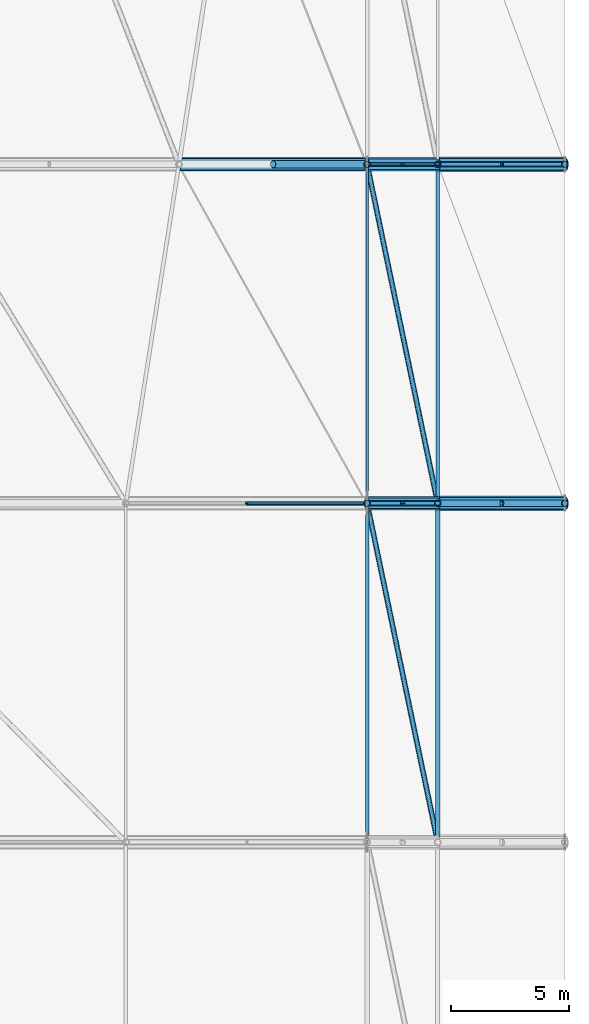
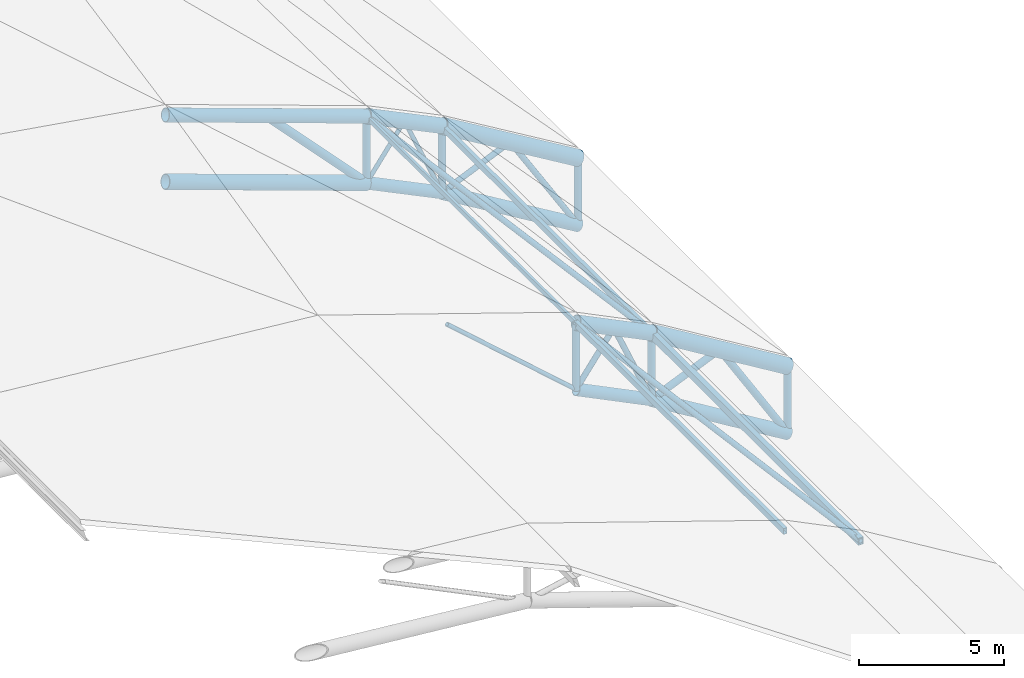
# One storey, part 22 of 36: 32 members.
"""IFC4 building model written with IfcOpenShell, lengths in metres."""

from ifc_helpers import new_model, si_unit, direction, frame, origin, origin_2d, place, context, subcontext, project, spatial, hollow_rectangle, hollow_circle, extrude, material, material_profile, profile_set, type_object, element, save


model = new_model("IFC4")

# Units and contexts
model_context = context("Model", 3, precision=1e-05, world=origin(), true_north=direction((0.0, 1.0)))
body_context = subcontext(model_context, "Body", "Model", "MODEL_VIEW")
ifc_project = project(units=[si_unit("LENGTHUNIT", "METRE"), si_unit("AREAUNIT", "SQUARE_METRE"), si_unit("VOLUMEUNIT", "CUBIC_METRE"), si_unit("PLANEANGLEUNIT", "RADIAN"), si_unit("MASSUNIT", "GRAM", prefix="KILO")], contexts=[model_context])

# Site, building, storey
site_placement = place(None, origin())
site = spatial("IfcSite", under=ifc_project, at=site_placement, CompositionType="ELEMENT")
building_placement = place(site_placement, origin())
building = spatial("IfcBuilding", under=site, at=building_placement, Name="Koshinbarg Plaza Stadium", CompositionType="ELEMENT")
storey_placement = place(building_placement, frame((0.0, 0.0, 34.199951171875)))
storey = spatial("IfcBuildingStorey", under=building, at=storey_placement, Name="RF", CompositionType="ELEMENT", Elevation=34.199951171875)

# Members
ifc_material = material(Name="Steel S355", Category="steel")
ifc_material_profile_1 = material_profile(ifc_material, hollow_circle(Radius=0.279541015625, WallThickness=0.022216796875, at=origin_2d()), Name="CHS 559x22.2")
ifc_profile_set_1 = profile_set([ifc_material_profile_1], Name="Steel S355")
member_type_1 = type_object("IfcMemberType", Name="MB-ARCH-BOT", PredefinedType="CHORD", material=ifc_profile_set_1)
member_1_placement = place(storey_placement, frame((189.39990234375, 111.89990234375, -0.10302734375), z_axis=(-0.942098779922, 0.0, 0.335335487041), x_axis=(0.0, -1.0, 0.0)))
element("IfcMember", 1, at=member_1_placement, inside=storey, type_object=member_type_1, Name="Quarter-barrel roof truss bottom chord ERB-07-3", PredefinedType="CHORD", context=body_context, shape_type="SweptSolid", body=[
    extrude(hollow_circle(Radius=0.279541015625, WallThickness=0.022216796875, at=origin_2d()), origin(), (0.0, 0.0, 1.0), 8.484619140625),
])
ifc_material_profile_2 = material_profile(ifc_material, hollow_circle(Radius=0.25390625, WallThickness=0.02001953125, at=origin_2d()), Name="CHS 508x20")
ifc_profile_set_2 = profile_set([ifc_material_profile_2], Name="Steel S355")
member_type_2 = type_object("IfcMemberType", Name="MB-ARCH-TOP", PredefinedType="CHORD", material=ifc_profile_set_2)
member_2_placement = place(storey_placement, frame((189.39990234375, 111.89990234375, 2.697021484375), z_axis=(-0.942098779922, 0.0, 0.335335487041), x_axis=(0.0, -1.0, 0.0)))
element("IfcMember", 2, at=member_2_placement, inside=storey, type_object=member_type_2, Name="Quarter-barrel roof truss top chord ERB-07-3", PredefinedType="CHORD", context=body_context, shape_type="SweptSolid", body=[
    extrude(hollow_circle(Radius=0.25390625, WallThickness=0.02001953125, at=origin_2d()), origin(), (0.0, 0.0, 1.0), 8.484619140625),
])
ifc_material_profile_3 = material_profile(ifc_material, hollow_circle(Radius=0.161865234375, WallThickness=0.01416015625, at=origin_2d()), Name="CHS 323.9x14.2")
ifc_profile_set_3 = profile_set([ifc_material_profile_3], Name="Steel S355")
member_type_3 = type_object("IfcMemberType", Name="MB-BRACE-01", PredefinedType="BRACE", material=ifc_profile_set_3)
member_3_placement = place(storey_placement, frame((189.39990234375, 111.89990234375, -0.10302734375), z_axis=(-0.687397482142, 0.0, 0.72628142035), x_axis=(0.0, -1.0, 0.0)))
element("IfcMember", 3, at=member_3_placement, inside=storey, type_object=member_type_3, Name="Quarter-barrel roof truss web diagonal ERB-07-3A", PredefinedType="BRACE", context=body_context, shape_type="SweptSolid", body=[
    extrude(hollow_circle(Radius=0.161865234375, WallThickness=0.01416015625, at=origin_2d()), origin(), (0.0, 0.0, 1.0), 5.81396484375),
])
ifc_material_profile_4 = material_profile(ifc_material, hollow_circle(Radius=0.136474609375, WallThickness=0.012451171875, at=origin_2d()), Name="CHS 273x12.5")
ifc_profile_set_4 = profile_set([ifc_material_profile_4], Name="Steel S355")
member_type_4 = type_object("IfcMemberType", Name="MB-BRACE-02", PredefinedType="BRACE", material=ifc_profile_set_4)
member_4_placement = place(storey_placement, frame((197.800048828125, 97.5, -4.800048828125), z_axis=(-0.519370245222, 0.0, 0.854549324719), x_axis=(0.0, -1.0, 0.0)))
element("IfcMember", 4, at=member_4_placement, inside=storey, type_object=member_type_4, Name="Quarter-barrel roof truss web diagonal ERB-06-1A", PredefinedType="BRACE", context=body_context, shape_type="SweptSolid", body=[
    extrude(hollow_circle(Radius=0.136474609375, WallThickness=0.012451171875, at=origin_2d()), origin(), (0.0, 0.0, 1.0), 5.198486328125),
])
member_5_placement = place(storey_placement, frame((195.10009765625, 97.5, -0.357666015625), z_axis=(-0.919114938458, 0.0, -0.393989504813), x_axis=(0.0, -1.0, 0.0)))
element("IfcMember", 5, at=member_5_placement, inside=storey, type_object=member_type_4, Name="Quarter-barrel roof truss web diagonal ERB-06-1B", PredefinedType="BRACE", context=body_context, shape_type="SweptSolid", body=[
    extrude(hollow_circle(Radius=0.136474609375, WallThickness=0.012451171875, at=origin_2d()), origin(), (0.0, 0.0, 1.0), 2.937744140625),
])
for number, where, z_axis, x_axis, name in (
    (6, (197.800048828125, 97.5, -4.800048828125), (0.0, 0.0, 1.0), (1.0, 0.0, 0.0), "Quarter-barrel roof truss post ERB-06-1"),
    (7, (192.39990234375, 97.5, -1.51513671875), (0.0, 0.0, 1.0), (1.0, 0.0, 0.0), "Quarter-barrel roof truss post ERB-06-2"),
    (8, (189.39990234375, 97.5, -0.0400390625), (0.0, 0.0, 1.0), (1.0, 0.0, 0.0), "Quarter-barrel roof truss post ERB-06-3"),
    (9, (197.800048828125, 111.89990234375, -4.800048828125), (0.0, 0.0, 1.0), (1.0, 0.0, 0.0), "Quarter-barrel roof truss post ERB-07-1"),
    (10, (192.39990234375, 111.89990234375, -1.557861328125), (0.0, 0.0, 1.0), (1.0, 0.0, 0.0), "Quarter-barrel roof truss post ERB-07-2"),
    (11, (189.39990234375, 111.89990234375, -0.10302734375), (0.0, 0.0, 1.0), (1.0, 0.0, 0.0), "Quarter-barrel roof truss post ERB-07-3"),
):
    element("IfcMember", number, at=place(storey_placement, frame(where, z_axis=z_axis, x_axis=x_axis)), inside=storey, type_object=member_type_4, Name=name, PredefinedType="BRACE", context=body_context, shape_type="SweptSolid", body=[
        extrude(hollow_circle(Radius=0.136474609375, WallThickness=0.012451171875, at=origin_2d()), origin(), (0.0, 0.0, 1.0), 2.800048828125),
    ])
ifc_material_profile_5 = material_profile(ifc_material, hollow_circle(Radius=0.109619140625, WallThickness=0.010009765625, at=origin_2d()), Name="CHS 219.1x10")
ifc_profile_set_5 = profile_set([ifc_material_profile_5], Name="Steel S355")
member_type_5 = type_object("IfcMemberType", Name="MB-BRACE-03", PredefinedType="BRACE", material=ifc_profile_set_5)
member_6_placement = place(storey_placement, frame((192.39990234375, 97.5, -1.51513671875), z_axis=(-0.390373616202, 0.0, 0.920656526492), x_axis=(0.0, -1.0, 0.0)))
element("IfcMember", 12, at=member_6_placement, inside=storey, type_object=member_type_5, Name="Quarter-barrel roof truss web diagonal ERB-06-2A", PredefinedType="BRACE", context=body_context, shape_type="SweptSolid", body=[
    extrude(hollow_circle(Radius=0.109619140625, WallThickness=0.010009765625, at=origin_2d()), origin(), (0.0, 0.0, 1.0), 3.842529296875),
])
member_7_placement = place(storey_placement, frame((190.89990234375, 97.5, 2.0224609375), z_axis=(-0.588171697675, 0.0, -0.808736084303), x_axis=(0.0, -1.0, 0.0)))
element("IfcMember", 13, at=member_7_placement, inside=storey, type_object=member_type_5, Name="Quarter-barrel roof truss web diagonal ERB-06-2B", PredefinedType="BRACE", context=body_context, shape_type="SweptSolid", body=[
    extrude(hollow_circle(Radius=0.109619140625, WallThickness=0.010009765625, at=origin_2d()), origin(), (0.0, 0.0, 1.0), 2.55029296875),
])
member_8_placement = place(storey_placement, frame((197.800048828125, 111.89990234375, -4.800048828125), z_axis=(-0.521188821641, 0.0, 0.853441393534), x_axis=(0.0, -1.0, 0.0)))
element("IfcMember", 14, at=member_8_placement, inside=storey, type_object=member_type_5, Name="Quarter-barrel roof truss web diagonal ERB-07-1A", PredefinedType="BRACE", context=body_context, shape_type="SweptSolid", body=[
    extrude(hollow_circle(Radius=0.109619140625, WallThickness=0.010009765625, at=origin_2d()), origin(), (0.0, 0.0, 1.0), 5.180419921875),
])
member_9_placement = place(storey_placement, frame((195.10009765625, 111.89990234375, -0.37890625), z_axis=(-0.916453757084, 0.0, -0.400140614192), x_axis=(0.0, -1.0, 0.0)))
element("IfcMember", 15, at=member_9_placement, inside=storey, type_object=member_type_5, Name="Quarter-barrel roof truss web diagonal ERB-07-1B", PredefinedType="BRACE", context=body_context, shape_type="SweptSolid", body=[
    extrude(hollow_circle(Radius=0.109619140625, WallThickness=0.010009765625, at=origin_2d()), origin(), (0.0, 0.0, 1.0), 2.9462890625),
])
member_10_placement = place(storey_placement, frame((192.39990234375, 83.10009765625, 1.284912109375), z_axis=(-0.202937656498, 0.974094145148, 0.099784287155), x_axis=(-0.978980143565, -0.203955579738, 0.0)))
element("IfcMember", 16, at=member_10_placement, inside=storey, type_object=member_type_5, Name="Roof plan wind brace east bay 5.2", PredefinedType="BRACE", context=body_context, shape_type="SweptSolid", body=[
    extrude(hollow_circle(Radius=0.109619140625, WallThickness=0.010009765625, at=origin_2d()), origin(), (0.0, 0.0, 1.0), 14.782958984375),
])
member_11_placement = place(storey_placement, frame((192.39990234375, 97.5, 1.284912109375), z_axis=(-0.203022150186, 0.9744997121, 0.095563160537), x_axis=(-0.978980143565, -0.203955579738, 0.0)))
element("IfcMember", 17, at=member_11_placement, inside=storey, type_object=member_type_5, Name="Roof plan wind brace east bay 6.2", PredefinedType="BRACE", context=body_context, shape_type="SweptSolid", body=[
    extrude(hollow_circle(Radius=0.109619140625, WallThickness=0.010009765625, at=origin_2d()), origin(), (0.0, 0.0, 1.0), 14.776611328125),
])
ifc_material_profile_6 = material_profile(ifc_material, hollow_circle(Radius=0.084228515625, WallThickness=0.008056640625, at=origin_2d()), Name="CHS 168.3x8")
ifc_profile_set_6 = profile_set([ifc_material_profile_6], Name="Steel S355")
member_type_6 = type_object("IfcMemberType", Name="MB-BRACE-04", PredefinedType="BRACE", material=ifc_profile_set_6)
member_12_placement = place(storey_placement, frame((189.39990234375, 97.5, -0.0400390625), z_axis=(-0.749161416462, 0.0, 0.662387478811), x_axis=(0.0, -1.0, 0.0)))
element("IfcMember", 18, at=member_12_placement, inside=storey, type_object=member_type_6, Name="Quarter-barrel roof truss web diagonal ERB-06-3A", PredefinedType="BRACE", context=body_context, shape_type="SweptSolid", body=[
    extrude(hollow_circle(Radius=0.084228515625, WallThickness=0.008056640625, at=origin_2d()), origin(), (0.0, 0.0, 1.0), 6.839599609375),
])
member_13_placement = place(storey_placement, frame((192.39990234375, 111.89990234375, -1.557861328125), z_axis=(-0.391311912373, 0.0, 0.92025810903), x_axis=(0.0, -1.0, 0.0)))
element("IfcMember", 19, at=member_13_placement, inside=storey, type_object=member_type_6, Name="Quarter-barrel roof truss web diagonal ERB-07-2A", PredefinedType="BRACE", context=body_context, shape_type="SweptSolid", body=[
    extrude(hollow_circle(Radius=0.084228515625, WallThickness=0.008056640625, at=origin_2d()), origin(), (0.0, 0.0, 1.0), 3.833251953125),
])
member_14_placement = place(storey_placement, frame((190.89990234375, 111.89990234375, 1.9697265625), z_axis=(-0.586263716238, 0.0, -0.810120271949), x_axis=(0.0, -1.0, 0.0)))
element("IfcMember", 20, at=member_14_placement, inside=storey, type_object=member_type_6, Name="Quarter-barrel roof truss web diagonal ERB-07-2B", PredefinedType="BRACE", context=body_context, shape_type="SweptSolid", body=[
    extrude(hollow_circle(Radius=0.084228515625, WallThickness=0.008056640625, at=origin_2d()), origin(), (0.0, 0.0, 1.0), 2.55859375),
])
ifc_material_profile_7 = material_profile(ifc_material, hollow_circle(Radius=0.304931640625, WallThickness=0.02490234375, at=origin_2d()), Name="CHS 610x25")
ifc_profile_set_7 = profile_set([ifc_material_profile_7], Name="Steel S355")
member_type_7 = type_object("IfcMemberType", Name="MB-CHORD-01", PredefinedType="CHORD", material=ifc_profile_set_7)
member_15_placement = place(storey_placement, frame((197.800048828125, 97.5, -2.0), z_axis=(-0.854348438745, 0.0, 0.519700630377), x_axis=(0.0, -1.0, 0.0)))
element("IfcMember", 21, at=member_15_placement, inside=storey, type_object=member_type_7, Name="Quarter-barrel roof truss top chord ERB-06-1", PredefinedType="CHORD", context=body_context, shape_type="SweptSolid", body=[
    extrude(hollow_circle(Radius=0.304931640625, WallThickness=0.02490234375, at=origin_2d()), origin(), (0.0, 0.0, 1.0), 6.32080078125),
])
member_16_placement = place(storey_placement, frame((197.800048828125, 111.89990234375, -2.0), z_axis=(-0.857345828386, 0.0, 0.514740838237), x_axis=(0.0, -1.0, 0.0)))
element("IfcMember", 22, at=member_16_placement, inside=storey, type_object=member_type_7, Name="Quarter-barrel roof truss top chord ERB-07-1", PredefinedType="CHORD", context=body_context, shape_type="SweptSolid", body=[
    extrude(hollow_circle(Radius=0.304931640625, WallThickness=0.02490234375, at=origin_2d()), origin(), (0.0, 0.0, 1.0), 6.298583984375),
])
ifc_material_profile_8 = material_profile(ifc_material, hollow_circle(Radius=0.279541015625, WallThickness=0.022216796875, at=origin_2d()), Name="CHS 559x22.2")
ifc_profile_set_8 = profile_set([ifc_material_profile_8], Name="Steel S355")
member_type_8 = type_object("IfcMemberType", Name="MB-CHORD-02", PredefinedType="CHORD", material=ifc_profile_set_8)
member_17_placement = place(storey_placement, frame((192.39990234375, 97.5, 1.284912109375), z_axis=(-0.897386943952, 0.0, 0.441244459257), x_axis=(0.0, -1.0, 0.0)))
element("IfcMember", 23, at=member_17_placement, inside=storey, type_object=member_type_8, Name="Quarter-barrel roof truss top chord ERB-06-2", PredefinedType="CHORD", context=body_context, shape_type="SweptSolid", body=[
    extrude(hollow_circle(Radius=0.279541015625, WallThickness=0.022216796875, at=origin_2d()), origin(), (0.0, 0.0, 1.0), 3.343017578125),
])
member_18_placement = place(storey_placement, frame((192.39990234375, 111.89990234375, 1.2421875), z_axis=(-0.899780132751, 0.0, 0.436343571864), x_axis=(0.0, -1.0, 0.0)))
element("IfcMember", 24, at=member_18_placement, inside=storey, type_object=member_type_8, Name="Quarter-barrel roof truss top chord ERB-07-2", PredefinedType="CHORD", context=body_context, shape_type="SweptSolid", body=[
    extrude(hollow_circle(Radius=0.279541015625, WallThickness=0.022216796875, at=origin_2d()), origin(), (0.0, 0.0, 1.0), 3.334228515625),
])
ifc_material_profile_9 = material_profile(ifc_material, hollow_circle(Radius=0.25390625, WallThickness=0.02001953125, at=origin_2d()), Name="CHS 508x20")
ifc_profile_set_9 = profile_set([ifc_material_profile_9], Name="Steel S355")
member_type_9 = type_object("IfcMemberType", Name="MB-CHORD-03", PredefinedType="CHORD", material=ifc_profile_set_9)
member_19_placement = place(storey_placement, frame((197.800048828125, 97.5, -4.800048828125), z_axis=(-0.854348438745, 0.0, 0.519700630377), x_axis=(0.0, -1.0, 0.0)))
element("IfcMember", 25, at=member_19_placement, inside=storey, type_object=member_type_9, Name="Quarter-barrel roof truss bottom chord ERB-06-1", PredefinedType="CHORD", context=body_context, shape_type="SweptSolid", body=[
    extrude(hollow_circle(Radius=0.25390625, WallThickness=0.02001953125, at=origin_2d()), origin(), (0.0, 0.0, 1.0), 6.32080078125),
])
member_20_placement = place(storey_placement, frame((197.800048828125, 111.89990234375, -4.800048828125), z_axis=(-0.857345828386, 0.0, 0.514740838237), x_axis=(0.0, -1.0, 0.0)))
element("IfcMember", 26, at=member_20_placement, inside=storey, type_object=member_type_9, Name="Quarter-barrel roof truss bottom chord ERB-07-1", PredefinedType="CHORD", context=body_context, shape_type="SweptSolid", body=[
    extrude(hollow_circle(Radius=0.25390625, WallThickness=0.02001953125, at=origin_2d()), origin(), (0.0, 0.0, 1.0), 6.298583984375),
])
ifc_material_profile_10 = material_profile(ifc_material, hollow_circle(Radius=0.228515625, WallThickness=0.02001953125, at=origin_2d()), Name="CHS 457x20")
ifc_profile_set_10 = profile_set([ifc_material_profile_10], Name="Steel S355")
member_type_10 = type_object("IfcMemberType", Name="MB-CHORD-04", PredefinedType="CHORD", material=ifc_profile_set_10)
member_21_placement = place(storey_placement, frame((192.39990234375, 97.5, -1.51513671875), z_axis=(-0.897386943952, 0.0, 0.441244459257), x_axis=(0.0, -1.0, 0.0)))
element("IfcMember", 27, at=member_21_placement, inside=storey, type_object=member_type_10, Name="Quarter-barrel roof truss bottom chord ERB-06-2", PredefinedType="CHORD", context=body_context, shape_type="SweptSolid", body=[
    extrude(hollow_circle(Radius=0.228515625, WallThickness=0.02001953125, at=origin_2d()), origin(), (0.0, 0.0, 1.0), 3.343017578125),
])
member_22_placement = place(storey_placement, frame((192.39990234375, 111.89990234375, -1.557861328125), z_axis=(-0.899780132751, 0.0, 0.436343571864), x_axis=(0.0, -1.0, 0.0)))
element("IfcMember", 28, at=member_22_placement, inside=storey, type_object=member_type_10, Name="Quarter-barrel roof truss bottom chord ERB-07-2", PredefinedType="CHORD", context=body_context, shape_type="SweptSolid", body=[
    extrude(hollow_circle(Radius=0.228515625, WallThickness=0.02001953125, at=origin_2d()), origin(), (0.0, 0.0, 1.0), 3.334228515625),
])
ifc_material_profile_11 = material_profile(ifc_material, hollow_rectangle(XDim=0.199951171875, YDim=0.300048828125, WallThickness=0.012451171875, at=origin_2d()), Name="RHS 300x200x12.5")
ifc_profile_set_11 = profile_set([ifc_material_profile_11], Name="Steel S355")
member_type_11 = type_object("IfcMemberType", Name="MB-PURL-01", PredefinedType="PURLIN", material=ifc_profile_set_11)
member_23_placement = place(storey_placement, frame((192.39990234375, 83.10009765625, 1.264892578125), z_axis=(0.0, 1.0, 0.0), x_axis=(-1.0, 0.0, 0.0)))
element("IfcMember", 29, at=member_23_placement, inside=storey, type_object=member_type_11, Name="Roof longitudinal purlin east bay 5.2", PredefinedType="PURLIN", context=body_context, shape_type="SweptSolid", body=[
    extrude(hollow_rectangle(XDim=0.199951171875, YDim=0.300048828125, WallThickness=0.012451171875, at=origin_2d()), origin(), (0.0, 0.0, 1.0), 14.39990234375),
])
ifc_material_profile_12 = material_profile(ifc_material, hollow_rectangle(XDim=0.14990234375, YDim=0.25, WallThickness=0.010009765625, at=origin_2d()), Name="RHS 250x150x10")
ifc_profile_set_12 = profile_set([ifc_material_profile_12], Name="Steel S355")
member_type_12 = type_object("IfcMemberType", Name="MB-PURL-02", PredefinedType="PURLIN", material=ifc_profile_set_12)
for number, where, z_axis, x_axis, name in (
    (30, (189.39990234375, 83.10009765625, 2.739990234375), (0.0, 1.0, 0.0), (-1.0, 0.0, 0.0), "Roof longitudinal purlin east bay 5.3"),
    (31, (192.39990234375, 97.5, 1.264892578125), (0.0, 0.999995598464, -0.002966993824), (-1.0, 0.0, 0.0), "Roof longitudinal purlin east bay 6.2"),
):
    element("IfcMember", number, at=place(storey_placement, frame(where, z_axis=z_axis, x_axis=x_axis)), inside=storey, type_object=member_type_12, Name=name, PredefinedType="PURLIN", context=body_context, shape_type="SweptSolid", body=[
        extrude(hollow_rectangle(XDim=0.14990234375, YDim=0.25, WallThickness=0.010009765625, at=origin_2d()), origin(), (0.0, 0.0, 1.0), 14.39990234375),
    ])
ifc_material_profile_13 = material_profile(ifc_material, hollow_rectangle(XDim=0.10009765625, YDim=0.199951171875, WallThickness=0.008056640625, at=origin_2d()), Name="RHS 200x100x8")
ifc_profile_set_13 = profile_set([ifc_material_profile_13], Name="Steel S355")
member_type_13 = type_object("IfcMemberType", Name="MB-PURL-03", PredefinedType="PURLIN", material=ifc_profile_set_13)
member_24_placement = place(storey_placement, frame((189.39990234375, 97.5, 2.739990234375), z_axis=(0.0, 0.999990433255, -0.004374174015), x_axis=(-1.0, 0.0, 0.0)))
element("IfcMember", 32, at=member_24_placement, inside=storey, type_object=member_type_13, Name="Roof longitudinal purlin east bay 6.3", PredefinedType="PURLIN", context=body_context, shape_type="SweptSolid", body=[
    extrude(hollow_rectangle(XDim=0.10009765625, YDim=0.199951171875, WallThickness=0.008056640625, at=origin_2d()), origin(), (0.0, 0.0, 1.0), 14.400146484375),
])

save(model, "model.ifc")
